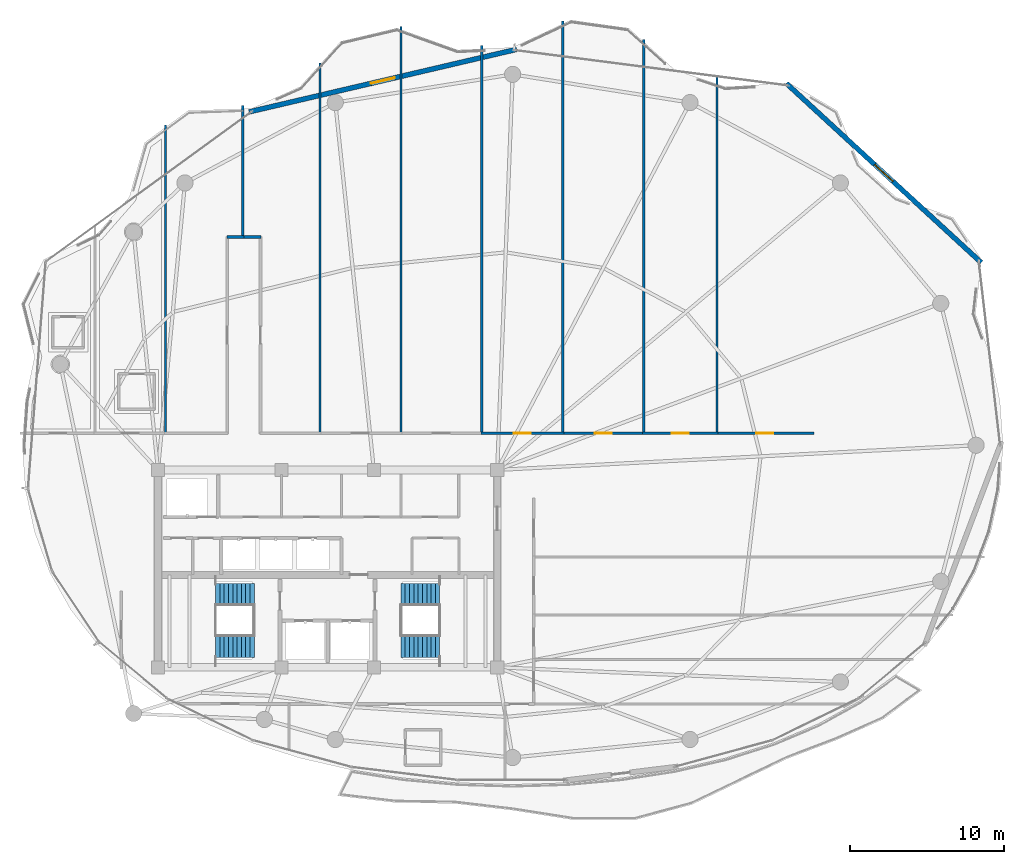
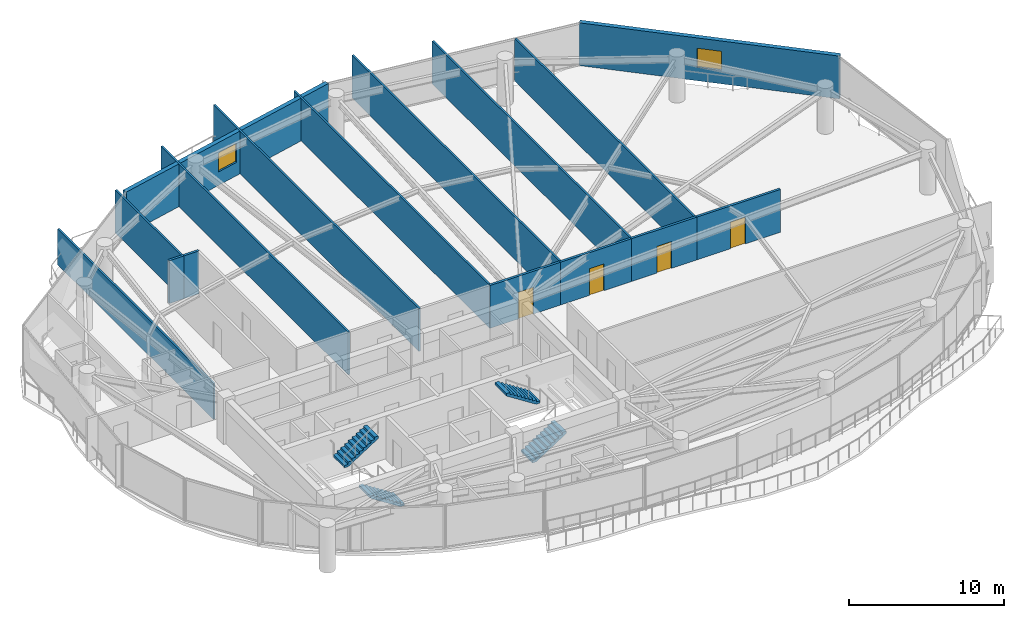
# One storey, part 27 of 31: 16 walls, 4 doors, 4 stair flights, 2 windows, 6 openings, 2 elements without a shape of their own.
"""IFC4 building model written with IfcOpenShell, lengths in metres."""

import ifcopenshell
import ifcopenshell.guid

model = None  # the IFC model being written
_history = None  # IfcOwnerHistory: only IFC2X3 demands one
_inside = {}  # id of a spatial element -> (the spatial element, [elements in it])
_under = {}  # id of a project, library or spatial element -> (it, [spatial elements below it])
_declared = {}  # id of a project -> (the project, [libraries it declares])
_typed = {}  # id of a type object -> (the type object, [elements of that type])
_made_of = {}  # id of a material, layer set ... -> (it, [elements and type objects made of it])


def new_model(schema):
    """Start an empty IFC model of exactly this schema.

    Asked for "IFC4X3", IfcOpenShell would pick the latest addendum, in which some entities
    have other attributes; the version numbers below select the first issue.
    IFC2X3 requires an IfcOwnerHistory on every rooted entity: one is made here for all.
    """
    global model, _history
    if schema == "IFC4X3":
        model = ifcopenshell.file(schema_version=(4, 3, 0, 0))
    else:
        model = ifcopenshell.file(schema=schema)
    _inside.clear()
    _under.clear()
    _declared.clear()
    _typed.clear()
    _made_of.clear()
    _history = None
    if model.schema == "IFC2X3":
        org = make("IfcOrganization", Name="unknown")
        user = make(
            "IfcPersonAndOrganization",
            ThePerson=make("IfcPerson", FamilyName="unknown"),
            TheOrganization=org,
        )
        app = make(
            "IfcApplication",
            ApplicationDeveloper=org,
            Version="unknown",
            ApplicationFullName="unknown",
            ApplicationIdentifier="unknown",
        )
        _history = make(
            "IfcOwnerHistory",
            OwningUser=user,
            OwningApplication=app,
            ChangeAction="ADDED",
            CreationDate=0,
        )
    return model


def make(cls, **values):
    """One entity of the class cls with the attributes given. An attribute that is None is left unset."""
    return model.create_entity(
        cls, **{name: value for name, value in values.items() if value is not None}
    )


def rooted(cls, **values):
    """An entity with a GlobalId (a new one), such as an element, a storey or a relation."""
    return make(cls, GlobalId=ifcopenshell.guid.new(), OwnerHistory=_history, **values)


def si_unit(unit_type, name, prefix=None):
    """IfcSIUnit, for example si_unit("LENGTHUNIT", "METRE", prefix="MILLI")."""
    return make("IfcSIUnit", UnitType=unit_type, Prefix=prefix, Name=name)


def assignment(units):
    """IfcUnitAssignment: the units of a project."""
    return None if units is None else make("IfcUnitAssignment", Units=units)


def point(xyz):
    """IfcCartesianPoint."""
    return None if xyz is None else make("IfcCartesianPoint", Coordinates=xyz)


def direction(xyz):
    """IfcDirection."""
    return None if xyz is None else make("IfcDirection", DirectionRatios=xyz)


def frame(location, z_axis=None, x_axis=None):
    """IfcAxis2Placement3D, a coordinate frame: its origin and axes. An axis left out is left unset."""
    return make(
        "IfcAxis2Placement3D",
        Location=point(location),
        Axis=direction(z_axis),
        RefDirection=direction(x_axis),
    )


def frame_2d(location, x_axis=None):
    """IfcAxis2Placement2D, a coordinate frame in the plane: its origin and x axis."""
    return make(
        "IfcAxis2Placement2D", Location=point(location), RefDirection=direction(x_axis)
    )


def origin():
    """The frame at (0, 0, 0) with its axes left unset."""
    return frame((0.0, 0.0, 0.0))


def place(relative_to, where):
    """IfcLocalPlacement: puts the frame where relative to a parent placement (None: the world)."""
    return make(
        "IfcLocalPlacement", PlacementRelTo=relative_to, RelativePlacement=where
    )


def context(
    kind, dimensions, precision=None, world=None, true_north=None, identifier=None
):
    """IfcGeometricRepresentationContext, for example the 3D "Model" context."""
    return make(
        "IfcGeometricRepresentationContext",
        ContextIdentifier=identifier,
        ContextType=kind,
        CoordinateSpaceDimension=dimensions,
        Precision=precision,
        WorldCoordinateSystem=world,
        TrueNorth=true_north,
    )


def subcontext(parent, identifier, kind, view, scale=None):
    """IfcGeometricRepresentationSubContext, for example "Body" below "Model"."""
    return make(
        "IfcGeometricRepresentationSubContext",
        ContextIdentifier=identifier,
        ContextType=kind,
        ParentContext=parent,
        TargetScale=scale,
        TargetView=view,
    )


def project(units=None, contexts=None):
    """IfcProject with its units and contexts."""
    return rooted(
        "IfcProject",
        Name="project",
        RepresentationContexts=contexts,
        UnitsInContext=assignment(units),
    )


def spatial(cls, under=None, at=None, **own):
    """A site, building, storey or space (cls), placed at a placement, below another one or the project."""
    s = rooted(cls, ObjectPlacement=at, **own)
    if under is not None:
        _under.setdefault(under.id(), (under, []))[1].append(s)
    return s


def polyline(points):
    """IfcPolyline through the points."""
    return make("IfcPolyline", Points=[point(p) for p in points])


def profile(cls, at=None, kind="AREA", **sizes):
    """A parametric profile (cls). Its sizes go by their IFC names, for example OverallWidth=200.0."""
    return make(cls, ProfileType=kind, Position=at, **sizes)


def rectangle(**sizes):
    """IfcRectangleProfileDef."""
    return profile("IfcRectangleProfileDef", **sizes)


def outline(outer, holes=None, kind="AREA"):
    """IfcArbitraryClosedProfileDef: a profile drawn as a closed curve; with holes, ...WithVoids."""
    if holes is None:
        return make("IfcArbitraryClosedProfileDef", ProfileType=kind, OuterCurve=outer)
    return make(
        "IfcArbitraryProfileDefWithVoids",
        ProfileType=kind,
        OuterCurve=outer,
        InnerCurves=holes,
    )


def extrude(swept, where, along, depth):
    """IfcExtrudedAreaSolid: the profile swept, set in the frame where, extruded along a direction by depth."""
    return make(
        "IfcExtrudedAreaSolid",
        SweptArea=swept,
        Position=where,
        ExtrudedDirection=direction(along),
        Depth=depth,
    )


def shape(context_of_items, identifier, shape_type, items):
    """IfcShapeRepresentation: the items that make up one representation, for example the "Body"."""
    return make(
        "IfcShapeRepresentation",
        ContextOfItems=context_of_items,
        RepresentationIdentifier=identifier,
        RepresentationType=shape_type,
        Items=items,
    )


def material(Name=None, Category=None):
    """IfcMaterial."""
    return make("IfcMaterial", Name=Name, Category=Category)


def layer(
    of_material, thickness, ventilated=None, Name=None, Category=None, Priority=None
):
    """IfcMaterialLayer: one layer of a wall or slab, of a material (None: an air gap)."""
    return make(
        "IfcMaterialLayer",
        Material=of_material,
        LayerThickness=thickness,
        IsVentilated=ventilated,
        Name=Name,
        Category=Category,
        Priority=Priority,
    )


def layer_set(layers, Name=None):
    """IfcMaterialLayerSet."""
    return make("IfcMaterialLayerSet", MaterialLayers=layers, LayerSetName=Name)


def made_of(thing, what):
    """Note that an element or type object is made of a material, layer set ...; save() writes the relation."""
    if what is not None:
        _made_of.setdefault(what.id(), (what, []))[1].append(thing)
    return thing


def type_object(cls, material=None, **own):
    """A type object (cls), such as IfcWallType, which elements share."""
    return made_of(rooted(cls, **own), material)


def element(
    cls,
    number,
    at=None,
    inside=None,
    cuts=None,
    type_object=None,
    material=None,
    context=None,
    identifier="Body",
    shape_type=None,
    held_by="IfcProductDefinitionShape",
    body=None,
    shapes=None,
    **own,
):
    """One element of the class cls, such as IfcWall. Its Tag is "e" and its number.

    at: its placement. inside: the storey or other place that contains it. cuts: it is an
    opening in that element (IfcRelVoidsElement). A single representation is given by context,
    identifier, shape_type and body (its items); several are given by shapes. held_by: the class
    of the entity that holds the representations. save() writes the other relations.
    """
    e = rooted(cls, Tag="e%d" % number, ObjectPlacement=at, **own)
    if body is not None:
        shapes = [shape(context, identifier, shape_type, body)]
    if shapes is not None:
        e.Representation = make(held_by, Representations=shapes)
    if inside is not None:
        _inside.setdefault(inside.id(), (inside, []))[1].append(e)
    if cuts is not None:
        rooted(
            "IfcRelVoidsElement", RelatingBuildingElement=cuts, RelatedOpeningElement=e
        )
    if type_object is not None:
        _typed.setdefault(type_object.id(), (type_object, []))[1].append(e)
    return made_of(e, material)


def fill(opening, filler):
    """IfcRelFillsElement: the door or window that sits in an opening."""
    return rooted(
        "IfcRelFillsElement",
        RelatingOpeningElement=opening,
        RelatedBuildingElement=filler,
    )


def aggregate(whole, parts):
    """IfcRelAggregates: a whole, such as a stair, and the parts it consists of."""
    return rooted("IfcRelAggregates", RelatingObject=whole, RelatedObjects=parts)


def save(model, path):
    """Write the relations noted so far, then the file.

    IfcRelAggregates (storeys below a building ...), IfcRelContainedInSpatialStructure (elements
    in a storey), IfcRelDefinesByType, IfcRelAssociatesMaterial and IfcRelDeclares: one each for
    every whole, place, type object, material and project.
    """
    for whole, parts in _under.values():
        aggregate(whole, parts)
    for where, things in _inside.values():
        rooted(
            "IfcRelContainedInSpatialStructure",
            RelatedElements=things,
            RelatingStructure=where,
        )
    for kind, things in _typed.values():
        rooted("IfcRelDefinesByType", RelatedObjects=things, RelatingType=kind)
    for what, things in _made_of.values():
        rooted("IfcRelAssociatesMaterial", RelatedObjects=things, RelatingMaterial=what)
    for by, libraries in _declared.values():
        rooted("IfcRelDeclares", RelatingContext=by, RelatedDefinitions=libraries)
    model.write(path)


model = new_model("IFC4")

# Units and contexts
model_context = context("Model", 3, precision=1e-05, world=origin(), true_north=direction((0.0, 1.0)))
body_context = subcontext(model_context, "Body", "Model", "MODEL_VIEW")
ifc_project = project(units=[si_unit("LENGTHUNIT", "METRE"), si_unit("AREAUNIT", "SQUARE_METRE"), si_unit("VOLUMEUNIT", "CUBIC_METRE"), si_unit("PLANEANGLEUNIT", "RADIAN"), si_unit("MASSUNIT", "GRAM", prefix="KILO")], contexts=[model_context])

# Site, building, storey
site_placement = place(None, origin())
site = spatial("IfcSite", under=ifc_project, at=site_placement, CompositionType="ELEMENT")
building_placement = place(site_placement, origin())
building = spatial("IfcBuilding", under=site, at=building_placement, Name="Kazevale Care Tower and Concert Hall", CompositionType="ELEMENT")
storey_placement = place(building_placement, frame((0.0, 0.0, 235.199951171875)))
storey = spatial("IfcBuildingStorey", under=building, at=storey_placement, Name="L62", CompositionType="ELEMENT", Elevation=235.199951171875)

# Walls
ifc_material_1 = material(Name="Acoustic Gypsum on Steel Stud", Category="steel")
ifc_layer_1 = layer(ifc_material_1, 0.139892578125)
ifc_layer_set_1 = layer_set([ifc_layer_1], Name="Acoustic Gypsum on Steel Stud")
wall_type_1 = type_object("IfcWallType", Name="Acoustic Care & Suite Partition 140", PredefinedType="PARTITIONING", material=ifc_layer_set_1)
wall_1_placement = place(storey_placement, frame((22.5, 58.781982421875, 0.0), z_axis=(0.0, 0.0, 1.0), x_axis=(0.0, -1.0, 0.0)))
element("IfcWall", 1, at=wall_1_placement, inside=storey, type_object=wall_type_1, Name="wall:L62:auto_024", PredefinedType="PARTITIONING", context=body_context, shape_type="SweptSolid", body=[
    extrude(rectangle(XDim=20.036865234375, YDim=0.139892578125, at=frame_2d((10.0185546875, 0.0))), origin(), (0.0, 0.0, 1.0), 2.80615234375),
])
wall_2_placement = place(storey_placement, frame((27.5, 60.02392578125, 0.0), z_axis=(0.0, 0.0, 1.0), x_axis=(0.0, -1.0, 0.0)))
element("IfcWall", 2, at=wall_2_placement, inside=storey, type_object=wall_type_1, Name="wall:L62:auto_025", PredefinedType="PARTITIONING", context=body_context, shape_type="SweptSolid", body=[
    extrude(rectangle(XDim=8.553955078125, YDim=0.139892578125, at=frame_2d((4.27685546875, 0.0))), origin(), (0.0, 0.0, 1.0), 3.360107421875),
])
wall_3_placement = place(storey_placement, frame((32.5, 62.799072265625, 0.0), z_axis=(0.0, 0.0, 1.0), x_axis=(0.0, -1.0, 0.0)))
element("IfcWall", 3, at=wall_3_placement, inside=storey, type_object=wall_type_1, Name="wall:L62:auto_026", PredefinedType="PARTITIONING", context=body_context, shape_type="SweptSolid", body=[
    extrude(rectangle(XDim=24.053955078125, YDim=0.139892578125, at=frame_2d((12.02685546875, 0.0))), origin(), (0.0, 0.0, 1.0), 3.360107421875),
])
wall_4_placement = place(storey_placement, frame((37.75, 65.14990234375, 0.0), z_axis=(0.0, 0.0, 1.0), x_axis=(0.0, -1.0, 0.0)))
element("IfcWall", 4, at=wall_4_placement, inside=storey, type_object=wall_type_1, Name="wall:L62:auto_027", PredefinedType="PARTITIONING", context=body_context, shape_type="SweptSolid", body=[
    extrude(rectangle(XDim=26.40478515625, YDim=0.139892578125, at=frame_2d((13.202392578125, 0.0))), origin(), (0.0, 0.0, 1.0), 3.360107421875),
])
wall_5_placement = place(storey_placement, frame((43.0, 63.908935546875, 0.0), z_axis=(0.0, 0.0, 1.0), x_axis=(0.0, -1.0, 0.0)))
element("IfcWall", 5, at=wall_5_placement, inside=storey, type_object=wall_type_1, Name="wall:L62:auto_028", PredefinedType="PARTITIONING", context=body_context, shape_type="SweptSolid", body=[
    extrude(rectangle(XDim=25.163818359375, YDim=0.139892578125, at=frame_2d((12.58203125, 0.0))), origin(), (0.0, 0.0, 1.0), 3.360107421875),
])
wall_6_placement = place(storey_placement, frame((48.25, 65.508056640625, 0.0), z_axis=(0.0, 0.0, 1.0), x_axis=(0.0, -1.0, 0.0)))
element("IfcWall", 6, at=wall_6_placement, inside=storey, type_object=wall_type_1, Name="wall:L62:auto_029", PredefinedType="PARTITIONING", context=body_context, shape_type="SweptSolid", body=[
    extrude(rectangle(XDim=26.762939453125, YDim=0.139892578125, at=frame_2d((13.38134765625, 0.0))), origin(), (0.0, 0.0, 1.0), 3.360107421875),
])
wall_7_placement = place(storey_placement, frame((53.5, 64.298095703125, 0.0), z_axis=(0.0, 0.0, 1.0), x_axis=(0.0, -1.0, 0.0)))
element("IfcWall", 7, at=wall_7_placement, inside=storey, type_object=wall_type_1, Name="wall:L62:auto_030", PredefinedType="PARTITIONING", context=body_context, shape_type="SweptSolid", body=[
    extrude(rectangle(XDim=25.552978515625, YDim=0.139892578125, at=frame_2d((12.7763671875, 0.0))), origin(), (0.0, 0.0, 1.0), 3.360107421875),
])
wall_8_placement = place(storey_placement, frame((58.25, 61.90625, 0.0), z_axis=(0.0, 0.0, 1.0), x_axis=(0.0, -1.0, 0.0)))
element("IfcWall", 8, at=wall_8_placement, inside=storey, type_object=wall_type_1, Name="wall:L62:auto_031", PredefinedType="PARTITIONING", context=body_context, shape_type="SweptSolid", body=[
    extrude(rectangle(XDim=23.1611328125, YDim=0.139892578125, at=frame_2d((11.58056640625, 0.0))), origin(), (0.0, 0.0, 1.0), 3.360107421875),
])
ifc_material_2 = material(Name="Concrete C40 and Acoustic Gypsum", Category="concrete")
ifc_layer_2 = layer(ifc_material_2, 0.179931640625)
ifc_layer_set_2 = layer_set([ifc_layer_2], Name="Concrete C40 and Acoustic Gypsum")
wall_type_2 = type_object("IfcWallType", Name="Fire-Rated Corridor & Party Wall 180", PredefinedType="PARTITIONING", material=ifc_layer_set_2)
wall_9_placement = place(storey_placement, frame((26.469970703125, 51.5, 0.0), z_axis=(0.0, 0.0, 1.0), x_axis=(1.0, 0.0, 0.0)))
element("IfcWall", 9, at=wall_9_placement, inside=storey, type_object=wall_type_2, Name="wall:L62:auto_005", PredefinedType="PARTITIONING", context=body_context, shape_type="SweptSolid", body=[
    extrude(rectangle(XDim=1.094970703125, YDim=0.179931640625, at=frame_2d((0.54736328125, 0.0))), origin(), (0.0, 0.0, 1.0), 3.360107421875),
])
wall_10_placement = place(storey_placement, frame((27.43505859375, 51.5, 0.0), z_axis=(0.0, 0.0, 1.0), x_axis=(1.0, 0.0, 0.0)))
element("IfcWall", 10, at=wall_10_placement, inside=storey, type_object=wall_type_2, Name="wall:L62:auto_008", PredefinedType="PARTITIONING", context=body_context, shape_type="SweptSolid", body=[
    extrude(rectangle(XDim=1.244873046875, YDim=0.179931640625, at=frame_2d((0.62255859375, 0.0))), origin(), (0.0, 0.0, 1.0), 3.360107421875),
])

# Wall, opening, door
wall_11_placement = place(storey_placement, frame((42.93505859375, 38.77490234375, 0.0), z_axis=(0.0, 0.0, 1.0), x_axis=(1.0, 0.0, 0.0)))
wall_11 = element("IfcWall", 11, at=wall_11_placement, inside=storey, type_object=wall_type_2, Name="wall:L62:auto_011", PredefinedType="PARTITIONING", context=body_context, shape_type="SweptSolid", body=[
    extrude(rectangle(XDim=5.3798828125, YDim=0.179931640625, at=frame_2d((2.68994140625, 0.0))), origin(), (0.0, 0.0, 1.0), 3.360107421875),
])
opening_1_placement = place(wall_11_placement, frame((2.139892578125, 0.0, 0.0)))
opening_1 = element("IfcOpeningElement", 12, at=opening_1_placement, cuts=wall_11, Name="Opening ID-1100", PredefinedType="OPENING", context=body_context, shape_type="SweptSolid", body=[
    extrude(rectangle(XDim=1.10009765625, YDim=2.10009765625, at=frame_2d((0.550048828125, 1.050048828125))), frame((0.0, 0.099853515625, 0.0), z_axis=(0.0, -1.0, 0.0), x_axis=(1.0, 0.0, 0.0)), (0.0, 0.0, 1.0), 0.199951171875),
])
ifc_material_3 = material(Name="Oak Timber Fire Leaf", Category="wood")
door_type = type_object("IfcDoorType", Name="Care Bedroom Accessible Door 1100x2100", OperationType="NOTDEFINED", PredefinedType="DOOR", material=ifc_material_3)
door_1_placement = place(opening_1_placement, origin())
door_1 = element("IfcDoor", 13, at=door_1_placement, inside=storey, type_object=door_type, Name="door:L62:ad_011", OperationType="SINGLE_SWING_LEFT", OverallHeight=2.10009765625, OverallWidth=1.10009765625, PredefinedType="DOOR", context=body_context, shape_type="SweptSolid", body=[
    extrude(rectangle(XDim=1.10009765625, YDim=2.10009765625, at=frame_2d((0.550048828125, 1.050048828125))), frame((0.0, 0.02490234375, 0.0), z_axis=(0.0, -1.0, 0.0), x_axis=(1.0, 0.0, 0.0)), (0.0, 0.0, 1.0), 0.050048828125),
])
fill(opening_1, door_1)

wall_12_placement = place(storey_placement, frame((48.18505859375, 38.77490234375, 0.0), z_axis=(0.0, 0.0, 1.0), x_axis=(1.0, 0.0, 0.0)))
wall_12 = element("IfcWall", 14, at=wall_12_placement, inside=storey, type_object=wall_type_2, Name="wall:L62:auto_012", PredefinedType="PARTITIONING", context=body_context, shape_type="SweptSolid", body=[
    extrude(rectangle(XDim=5.3798828125, YDim=0.179931640625, at=frame_2d((2.68994140625, 0.0))), origin(), (0.0, 0.0, 1.0), 3.360107421875),
])
opening_2_placement = place(wall_12_placement, frame((2.139892578125, 0.0, 0.0)))
opening_2 = element("IfcOpeningElement", 15, at=opening_2_placement, cuts=wall_12, Name="Opening ID-1100", PredefinedType="OPENING", context=body_context, shape_type="SweptSolid", body=[
    extrude(rectangle(XDim=1.10009765625, YDim=2.10009765625, at=frame_2d((0.550048828125, 1.050048828125))), frame((0.0, 0.099853515625, 0.0), z_axis=(0.0, -1.0, 0.0), x_axis=(1.0, 0.0, 0.0)), (0.0, 0.0, 1.0), 0.199951171875),
])
door_2_placement = place(opening_2_placement, origin())
door_2 = element("IfcDoor", 16, at=door_2_placement, inside=storey, type_object=door_type, Name="door:L62:ad_012", OperationType="SINGLE_SWING_LEFT", OverallHeight=2.10009765625, OverallWidth=1.10009765625, PredefinedType="DOOR", context=body_context, shape_type="SweptSolid", body=[
    extrude(rectangle(XDim=1.10009765625, YDim=2.10009765625, at=frame_2d((0.550048828125, 1.050048828125))), frame((0.0, 0.02490234375, 0.0), z_axis=(0.0, -1.0, 0.0), x_axis=(1.0, 0.0, 0.0)), (0.0, 0.0, 1.0), 0.050048828125),
])
fill(opening_2, door_2)

wall_13_placement = place(storey_placement, frame((53.43505859375, 38.77490234375, 0.0), z_axis=(0.0, 0.0, 1.0), x_axis=(1.0, 0.0, 0.0)))
wall_13 = element("IfcWall", 17, at=wall_13_placement, inside=storey, type_object=wall_type_2, Name="wall:L62:auto_013", PredefinedType="PARTITIONING", context=body_context, shape_type="SweptSolid", body=[
    extrude(rectangle(XDim=4.8798828125, YDim=0.179931640625, at=frame_2d((2.43994140625, 0.0))), origin(), (0.0, 0.0, 1.0), 3.360107421875),
])
opening_3_placement = place(wall_13_placement, frame((1.889892578125, 0.0, 0.0)))
opening_3 = element("IfcOpeningElement", 18, at=opening_3_placement, cuts=wall_13, Name="Opening ID-1100", PredefinedType="OPENING", context=body_context, shape_type="SweptSolid", body=[
    extrude(rectangle(XDim=1.10009765625, YDim=2.10009765625, at=frame_2d((0.550048828125, 1.050048828125))), frame((0.0, 0.099853515625, 0.0), z_axis=(0.0, -1.0, 0.0), x_axis=(1.0, 0.0, 0.0)), (0.0, 0.0, 1.0), 0.199951171875),
])
door_3_placement = place(opening_3_placement, origin())
door_3 = element("IfcDoor", 19, at=door_3_placement, inside=storey, type_object=door_type, Name="door:L62:ad_013", OperationType="SINGLE_SWING_LEFT", OverallHeight=2.10009765625, OverallWidth=1.10009765625, PredefinedType="DOOR", context=body_context, shape_type="SweptSolid", body=[
    extrude(rectangle(XDim=1.10009765625, YDim=2.10009765625, at=frame_2d((0.550048828125, 1.050048828125))), frame((0.0, 0.02490234375, 0.0), z_axis=(0.0, -1.0, 0.0), x_axis=(1.0, 0.0, 0.0)), (0.0, 0.0, 1.0), 0.050048828125),
])
fill(opening_3, door_3)

wall_14_placement = place(storey_placement, frame((58.18505859375, 38.77490234375, 0.0), z_axis=(0.0, 0.0, 1.0), x_axis=(1.0, 0.0, 0.0)))
wall_14 = element("IfcWall", 20, at=wall_14_placement, inside=storey, type_object=wall_type_2, Name="wall:L62:auto_014", PredefinedType="PARTITIONING", context=body_context, shape_type="SweptSolid", body=[
    extrude(rectangle(XDim=6.344970703125, YDim=0.179931640625, at=frame_2d((3.17236328125, 0.0))), origin(), (0.0, 0.0, 1.0), 3.360107421875),
])
opening_4_placement = place(wall_14_placement, frame((2.6220703125, 0.0, 0.0)))
opening_4 = element("IfcOpeningElement", 21, at=opening_4_placement, cuts=wall_14, Name="Opening ID-1100", PredefinedType="OPENING", context=body_context, shape_type="SweptSolid", body=[
    extrude(rectangle(XDim=1.10009765625, YDim=2.10009765625, at=frame_2d((0.550048828125, 1.050048828125))), frame((0.0, 0.099853515625, 0.0), z_axis=(0.0, -1.0, 0.0), x_axis=(1.0, 0.0, 0.0)), (0.0, 0.0, 1.0), 0.199951171875),
])
door_4_placement = place(opening_4_placement, origin())
door_4 = element("IfcDoor", 22, at=door_4_placement, inside=storey, type_object=door_type, Name="door:L62:ad_014", OperationType="SINGLE_SWING_LEFT", OverallHeight=2.10009765625, OverallWidth=1.10009765625, PredefinedType="DOOR", context=body_context, shape_type="SweptSolid", body=[
    extrude(rectangle(XDim=1.10009765625, YDim=2.10009765625, at=frame_2d((0.550048828125, 1.050048828125))), frame((0.0, 0.02490234375, 0.0), z_axis=(0.0, -1.0, 0.0), x_axis=(1.0, 0.0, 0.0)), (0.0, 0.0, 1.0), 0.050048828125),
])
fill(opening_4, door_4)

# Wall, opening, window
ifc_material_4 = material(Name="Concrete C40 with Honed Limestone Cladding", Category="masonry")
ifc_layer_3 = layer(ifc_material_4, 0.320068359375)
ifc_layer_set_3 = layer_set([ifc_layer_3], Name="Concrete C40 with Honed Limestone Cladding")
wall_type_3 = type_object("IfcWallType", Name="Tower Honed Limestone Spandrel Wall 320", PredefinedType="STANDARD", material=ifc_layer_set_3)
wall_15_placement = place(storey_placement, frame((27.908935546875, 59.616943359375, 0.0), z_axis=(0.0, 0.0, 1.0), x_axis=(0.973753606594, 0.227604731158, 0.0)))
wall_15 = element("IfcWall", 23, at=wall_15_placement, inside=storey, type_object=wall_type_3, Name="wall:L62:cbox:15", PredefinedType="STANDARD", context=body_context, shape_type="SweptSolid", body=[
    extrude(rectangle(XDim=17.816650390625, YDim=0.320068359375, at=frame_2d((8.908203125, 0.0))), origin(), (0.0, 0.0, 1.0), 3.360107421875),
])
opening_5_placement = place(wall_15_placement, frame((8.10888671875, 0.0, 1.050048828125)))
opening_5 = element("IfcOpeningElement", 24, at=opening_5_placement, cuts=wall_15, Name="Opening WIN-1", PredefinedType="OPENING", context=body_context, shape_type="SweptSolid", body=[
    extrude(rectangle(XDim=1.60009765625, YDim=1.5, at=frame_2d((0.800048828125, 0.75))), frame((0.0, 0.169921875, 0.0), z_axis=(0.0, -1.0, 0.0), x_axis=(1.0, 0.0, 0.0)), (0.0, 0.0, 1.0), 0.340087890625),
])
ifc_material_5 = material(Name="Low-E Laminated Glass", Category="glass")
window_type = type_object("IfcWindowType", Name="Convex Box Deep-Set Window 1600x1500", PartitioningType="DOUBLE_PANEL_VERTICAL", PredefinedType="WINDOW", material=ifc_material_5)
window_1_placement = place(opening_5_placement, origin())
window_1 = element("IfcWindow", 25, at=window_1_placement, inside=storey, type_object=window_type, Name="win:L62:cbox:15", OverallHeight=1.5, OverallWidth=1.60009765625, PartitioningType="SINGLE_PANEL", PredefinedType="WINDOW", context=body_context, shape_type="SweptSolid", body=[
    extrude(rectangle(XDim=1.60009765625, YDim=1.5, at=frame_2d((0.800048828125, 0.75))), frame((0.0, 0.030029296875, 0.0), z_axis=(0.0, -1.0, 0.0), x_axis=(1.0, 0.0, 0.0)), (0.0, 0.0, 1.0), 0.06005859375),
])
fill(opening_5, window_1)

wall_16_placement = place(storey_placement, frame((62.7509765625, 61.462890625, 0.0), z_axis=(0.0, 0.0, 1.0), x_axis=(0.736063690764, -0.676912286149, 0.0)))
wall_16 = element("IfcWall", 26, at=wall_16_placement, inside=storey, type_object=wall_type_3, Name="wall:L62:cbox:17", PredefinedType="STANDARD", context=body_context, shape_type="SweptSolid", body=[
    extrude(rectangle(XDim=17.16162109375, YDim=0.320068359375, at=frame_2d((8.580810546875, 0.0))), origin(), (0.0, 0.0, 1.0), 3.360107421875),
])
opening_6_placement = place(wall_16_placement, frame((7.781005859375, 0.0, 1.050048828125)))
opening_6 = element("IfcOpeningElement", 27, at=opening_6_placement, cuts=wall_16, Name="Opening WIN-1", PredefinedType="OPENING", context=body_context, shape_type="SweptSolid", body=[
    extrude(rectangle(XDim=1.60009765625, YDim=1.5, at=frame_2d((0.800048828125, 0.75))), frame((0.0, 0.169921875, 0.0), z_axis=(0.0, -1.0, 0.0), x_axis=(1.0, 0.0, 0.0)), (0.0, 0.0, 1.0), 0.340087890625),
])
window_2_placement = place(opening_6_placement, origin())
window_2 = element("IfcWindow", 28, at=window_2_placement, inside=storey, type_object=window_type, Name="win:L62:cbox:17", OverallHeight=1.5, OverallWidth=1.60009765625, PartitioningType="SINGLE_PANEL", PredefinedType="WINDOW", context=body_context, shape_type="SweptSolid", body=[
    extrude(rectangle(XDim=1.60009765625, YDim=1.5, at=frame_2d((0.800048828125, 0.75))), frame((0.0, 0.030029296875, 0.0), z_axis=(0.0, -1.0, 0.0), x_axis=(1.0, 0.0, 0.0)), (0.0, 0.0, 1.0), 0.06005859375),
])
fill(opening_6, window_2)

# Stair, stair flights
ifc_material_6 = material(Name="Concrete C40", Category="concrete")
stair_type = type_object("IfcStairType", Name="Exit Stair Assembly ST1-Z3", PredefinedType="HALF_TURN_STAIR", material=ifc_material_6)
stair_1_placement = place(storey_placement, origin())
stair_1 = element("IfcStair", 29, at=stair_1_placement, inside=storey, type_object=stair_type, Name="stair:L62:ST1", PredefinedType="HALF_TURN_STAIR")
ifc_layer_4 = layer(ifc_material_6, 0.159912109375)
ifc_layer_set_4 = layer_set([ifc_layer_4], Name="Concrete C40")
stair_flight_type = type_object("IfcStairFlightType", Name="Exit Stair Flight ST1-Z3", PredefinedType="STRAIGHT", material=ifc_layer_set_4)
stair_flight_1_placement = place(storey_placement, frame((28.25, 24.97509765625, 0.0), z_axis=(0.0, 0.0, 1.0), x_axis=(-1.0, 0.0, 0.0)))
stair_flight_1 = element("IfcStairFlight", 30, at=stair_flight_1_placement, type_object=stair_flight_type, Name="ST1-Z3 flight 1", NumberOfRisers=10, NumberOfTreads=9, PredefinedType="STRAIGHT", RiserHeight=0.18, TreadLength=0.28, context=body_context, shape_type="SweptSolid", body=[
    extrude(outline(polyline([(0.0, 0.0), (0.0, 0.179931640625), (0.280029296875, 0.179931640625), (0.280029296875, 0.360107421875), (0.56005859375, 0.360107421875), (0.56005859375, 0.5400390625), (0.840087890625, 0.5400390625), (0.840087890625, 0.719970703125), (1.1201171875, 0.719970703125), (1.1201171875, 0.89990234375), (1.39990234375, 0.89990234375), (1.39990234375, 1.080078125), (1.679931640625, 1.080078125), (1.679931640625, 1.260009765625), (1.9599609375, 1.260009765625), (1.9599609375, 1.43994140625), (2.239990234375, 1.43994140625), (2.239990234375, 1.6201171875), (2.52001953125, 1.6201171875), (2.52001953125, 1.800048828125), (2.52001953125, 1.429931640625), (0.295654296875, 0.0), (0.0, 0.0)])), frame((0.0, 0.72509765625, 0.0), z_axis=(0.0, -1.0, 0.0), x_axis=(1.0, 0.0, 0.0)), (0.0, 0.0, 1.0), 1.449951171875),
])
stair_flight_2_placement = place(storey_placement, frame((25.72998046875, 28.324951171875, 1.800048828125), z_axis=(0.0, 0.0, 1.0), x_axis=(1.0, 0.0, 0.0)))
stair_flight_2 = element("IfcStairFlight", 31, at=stair_flight_2_placement, type_object=stair_flight_type, Name="ST1-Z3 flight 2", NumberOfRisers=10, NumberOfTreads=9, PredefinedType="STRAIGHT", RiserHeight=0.18, TreadLength=0.28, context=body_context, shape_type="SweptSolid", body=[
    extrude(outline(polyline([(0.0, 0.0), (0.0, 0.179931640625), (0.280029296875, 0.179931640625), (0.280029296875, 0.360107421875), (0.56005859375, 0.360107421875), (0.56005859375, 0.5400390625), (0.840087890625, 0.5400390625), (0.840087890625, 0.719970703125), (1.1201171875, 0.719970703125), (1.1201171875, 0.89990234375), (1.39990234375, 0.89990234375), (1.39990234375, 1.080078125), (1.679931640625, 1.080078125), (1.679931640625, 1.260009765625), (1.9599609375, 1.260009765625), (1.9599609375, 1.43994140625), (2.239990234375, 1.43994140625), (2.239990234375, 1.6201171875), (2.52001953125, 1.6201171875), (2.52001953125, 1.800048828125), (2.52001953125, 1.429931640625), (0.295654296875, 0.0), (0.0, 0.0)])), frame((0.0, 0.72509765625, 0.0), z_axis=(0.0, -1.0, 0.0), x_axis=(1.0, 0.0, 0.0)), (0.0, 0.0, 1.0), 1.449951171875),
])
aggregate(stair_1, [stair_flight_1, stair_flight_2])

stair_2_placement = place(storey_placement, origin())
stair_2 = element("IfcStair", 32, at=stair_2_placement, inside=storey, type_object=stair_type, Name="stair:L62:ST2", PredefinedType="HALF_TURN_STAIR")
stair_flight_3_placement = place(storey_placement, frame((37.75, 24.97509765625, 0.0), z_axis=(0.0, 0.0, 1.0), x_axis=(1.0, 0.0, 0.0)))
stair_flight_3 = element("IfcStairFlight", 33, at=stair_flight_3_placement, type_object=stair_flight_type, Name="ST1-Z3 flight 1", NumberOfRisers=10, NumberOfTreads=9, PredefinedType="STRAIGHT", RiserHeight=0.18, TreadLength=0.28, context=body_context, shape_type="SweptSolid", body=[
    extrude(outline(polyline([(0.0, 0.0), (0.0, 0.179931640625), (0.280029296875, 0.179931640625), (0.280029296875, 0.360107421875), (0.56005859375, 0.360107421875), (0.56005859375, 0.5400390625), (0.840087890625, 0.5400390625), (0.840087890625, 0.719970703125), (1.1201171875, 0.719970703125), (1.1201171875, 0.89990234375), (1.39990234375, 0.89990234375), (1.39990234375, 1.080078125), (1.679931640625, 1.080078125), (1.679931640625, 1.260009765625), (1.9599609375, 1.260009765625), (1.9599609375, 1.43994140625), (2.239990234375, 1.43994140625), (2.239990234375, 1.6201171875), (2.52001953125, 1.6201171875), (2.52001953125, 1.800048828125), (2.52001953125, 1.429931640625), (0.295654296875, 0.0), (0.0, 0.0)])), frame((0.0, 0.72509765625, 0.0), z_axis=(0.0, -1.0, 0.0), x_axis=(1.0, 0.0, 0.0)), (0.0, 0.0, 1.0), 1.449951171875),
])
stair_flight_4_placement = place(storey_placement, frame((40.27001953125, 28.324951171875, 1.800048828125), z_axis=(0.0, 0.0, 1.0), x_axis=(-1.0, 0.0, 0.0)))
stair_flight_4 = element("IfcStairFlight", 34, at=stair_flight_4_placement, type_object=stair_flight_type, Name="ST1-Z3 flight 2", NumberOfRisers=10, NumberOfTreads=9, PredefinedType="STRAIGHT", RiserHeight=0.18, TreadLength=0.28, context=body_context, shape_type="SweptSolid", body=[
    extrude(outline(polyline([(0.0, 0.0), (0.0, 0.179931640625), (0.280029296875, 0.179931640625), (0.280029296875, 0.360107421875), (0.56005859375, 0.360107421875), (0.56005859375, 0.5400390625), (0.840087890625, 0.5400390625), (0.840087890625, 0.719970703125), (1.1201171875, 0.719970703125), (1.1201171875, 0.89990234375), (1.39990234375, 0.89990234375), (1.39990234375, 1.080078125), (1.679931640625, 1.080078125), (1.679931640625, 1.260009765625), (1.9599609375, 1.260009765625), (1.9599609375, 1.43994140625), (2.239990234375, 1.43994140625), (2.239990234375, 1.6201171875), (2.52001953125, 1.6201171875), (2.52001953125, 1.800048828125), (2.52001953125, 1.429931640625), (0.295654296875, 0.0), (0.0, 0.0)])), frame((0.0, 0.72509765625, 0.0), z_axis=(0.0, -1.0, 0.0), x_axis=(1.0, 0.0, 0.0)), (0.0, 0.0, 1.0), 1.449951171875),
])
aggregate(stair_2, [stair_flight_3, stair_flight_4])

save(model, "model.ifc")
